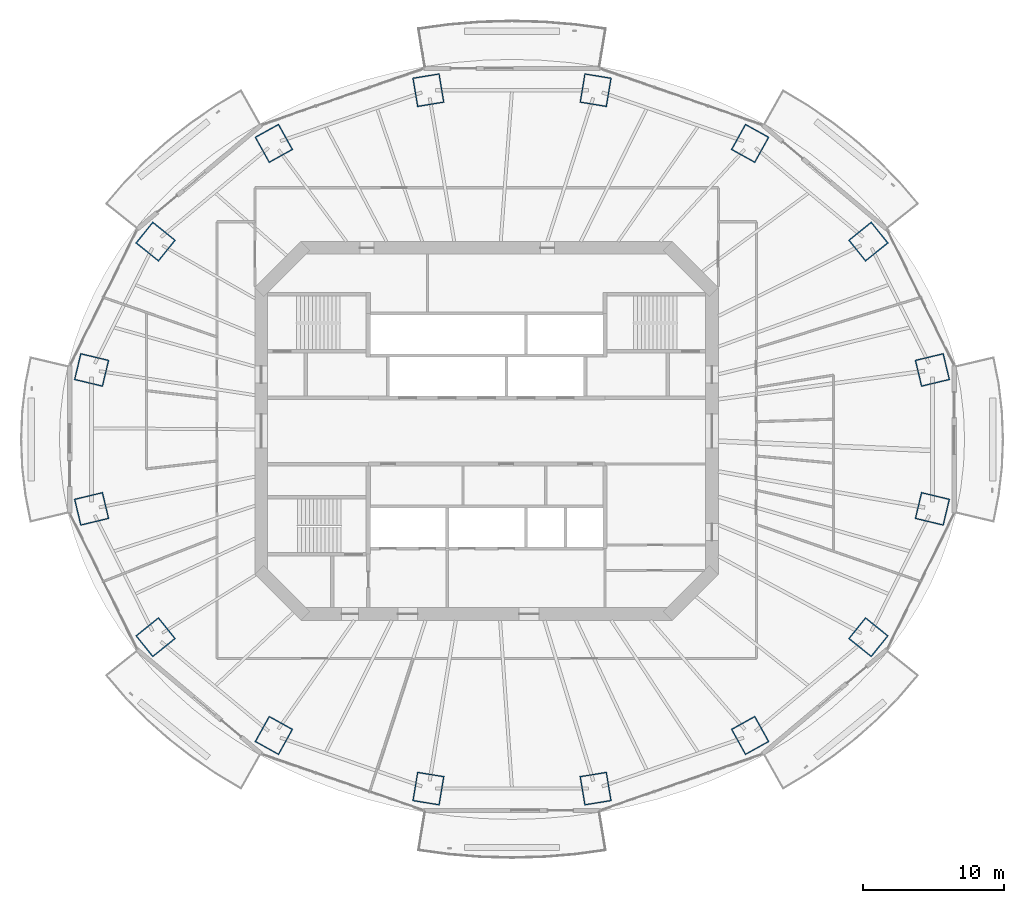
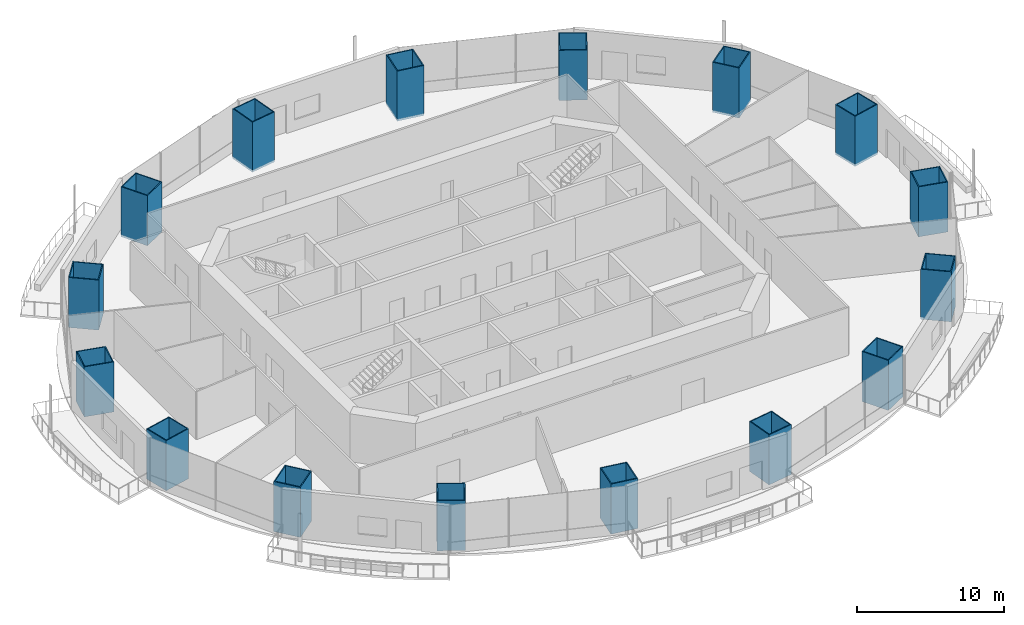
# One storey, part 1 of 20: 16 columns.
"""IFC4 building model written with IfcOpenShell, lengths in metres."""

from ifc_helpers import new_model, si_unit, direction, frame, origin, origin_2d, place, context, subcontext, project, spatial, rectangle, hollow_rectangle, extrude, material, material_profile, profile_set, type_object, element, save


model = new_model("IFC4")

# Units and contexts
model_context = context("Model", 3, precision=1e-05, world=origin(), true_north=direction((0.0, 1.0)))
body_context = subcontext(model_context, "Body", "Model", "MODEL_VIEW")
ifc_project = project(units=[si_unit("LENGTHUNIT", "METRE"), si_unit("AREAUNIT", "SQUARE_METRE"), si_unit("VOLUMEUNIT", "CUBIC_METRE"), si_unit("PLANEANGLEUNIT", "RADIAN"), si_unit("MASSUNIT", "GRAM", prefix="KILO")], contexts=[model_context])

# Site, building, storey
site_placement = place(None, origin())
site = spatial("IfcSite", under=ifc_project, at=site_placement, CompositionType="ELEMENT")
building_placement = place(site_placement, origin())
building = spatial("IfcBuilding", under=site, at=building_placement, Name="Marenthal Gate Tower", CompositionType="ELEMENT")
storey_placement = place(building_placement, frame((0.0, 0.0, 185.949951171875)))
storey = spatial("IfcBuildingStorey", under=building, at=storey_placement, Name="L40", CompositionType="ELEMENT", Elevation=185.949951171875)

# Columns
ifc_material_1 = material(Name="Steel S460", Category="steel")
ifc_material_profile_1 = material_profile(ifc_material_1, hollow_rectangle(XDim=1.949951171875, YDim=2.10009765625, WallThickness=0.074951171875, at=origin_2d()), Name="CFT BOX 2100X1950X75")
ifc_material_2 = material(Name="Concrete 70 MPa", Category="concrete")
ifc_material_profile_2 = material_profile(ifc_material_2, rectangle(XDim=1.800048828125, YDim=1.949951171875, at=origin_2d()), Name="CFT BOX 2100X1950X75 INFILL")
ifc_profile_set = profile_set([ifc_material_profile_1, ifc_material_profile_2], Name="Steel S460 shell, Concrete 70 MPa infill")
column_type = type_object("IfcColumnType", Name="CFT BOX 2100X1950X75", PredefinedType="COLUMN", material=ifc_profile_set)
for number, where, z_axis, x_axis, name in (
    (1, (31.650146484375, 4.33203125, -0.179931640625), (0.0, 0.0, 1.0), (0.232880188274, -0.972505433357, 0.0), "COL-L40-01"),
    (2, (27.105712890625, 13.4453125, -0.179931640625), (0.0, 0.0, 1.0), (0.626783341312, -0.779193585096, 0.0), "COL-L40-02"),
    (3, (18.708740234375, 20.42041015625, -0.179931640625), (0.0, 0.0, 1.0), (0.874353883953, -0.485288868217, 0.0), "COL-L40-03"),
    (4, (7.737548828125, 24.1953125, -0.179931640625), (0.0, 0.0, 1.0), (0.986623138767, -0.163017735384, 0.0), "COL-L40-04"),
    (5, (-4.1376953125, 24.1953125, -0.179931640625), (0.0, 0.0, 1.0), (0.986623138767, 0.163017735384, 0.0), "COL-L40-05"),
    (6, (-15.10888671875, 20.42041015625, -0.179931640625), (0.0, 0.0, 1.0), (0.874353883953, 0.485288868217, 0.0), "COL-L40-06"),
    (7, (-23.505859375, 13.4453125, -0.179931640625), (0.0, 0.0, 1.0), (0.626783341312, 0.779193585096, 0.0), "COL-L40-07"),
    (8, (-28.05029296875, 4.33203125, -0.179931640625), (0.0, 0.0, 1.0), (0.232880188274, 0.972505433357, 0.0), "COL-L40-08"),
    (9, (-28.05029296875, -5.531982421875, -0.179931640625), (0.0, 0.0, 1.0), (-0.232880188274, 0.972505433357, 0.0), "COL-L40-09"),
    (10, (-23.505859375, -14.6455078125, -0.179931640625), (0.0, 0.0, 1.0), (-0.626783341312, 0.779193585096, 0.0), "COL-L40-10"),
    (11, (-15.10888671875, -21.620361328125, -0.179931640625), (0.0, 0.0, 1.0), (-0.874353883953, 0.485288868217, 0.0), "COL-L40-11"),
    (12, (-4.1376953125, -25.395263671875, -0.179931640625), (0.0, 0.0, 1.0), (-0.986623138767, 0.163017735384, 0.0), "COL-L40-12"),
    (13, (7.737548828125, -25.395263671875, -0.179931640625), (0.0, 0.0, 1.0), (-0.986623138767, -0.163017735384, 0.0), "COL-L40-13"),
    (14, (18.708740234375, -21.620361328125, -0.179931640625), (0.0, 0.0, 1.0), (-0.874353883953, -0.485288868217, 0.0), "COL-L40-14"),
    (15, (27.105712890625, -14.6455078125, -0.179931640625), (0.0, 0.0, 1.0), (-0.626783341312, -0.779193585096, 0.0), "COL-L40-15"),
    (16, (31.650146484375, -5.531982421875, -0.179931640625), (0.0, 0.0, 1.0), (-0.232880188274, -0.972505433357, 0.0), "COL-L40-16"),
):
    element("IfcColumn", number, at=place(storey_placement, frame(where, z_axis=z_axis, x_axis=x_axis)), inside=storey, type_object=column_type, Name=name, PredefinedType="COLUMN", context=body_context, shape_type="SweptSolid", body=[
        extrude(hollow_rectangle(XDim=1.949951171875, YDim=2.10009765625, WallThickness=0.074951171875, at=origin_2d()), origin(), (0.0, 0.0, 1.0), 4.14990234375),
    ])

save(model, "model.ifc")
